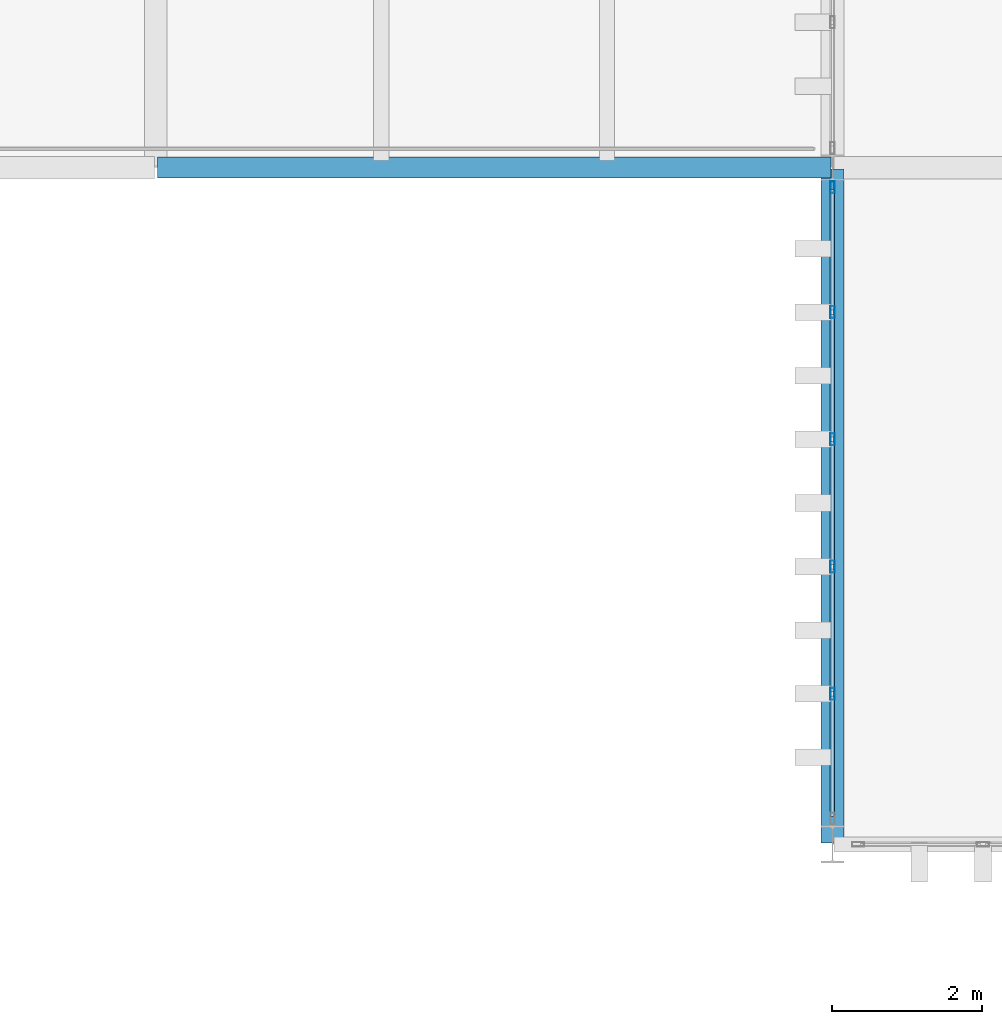
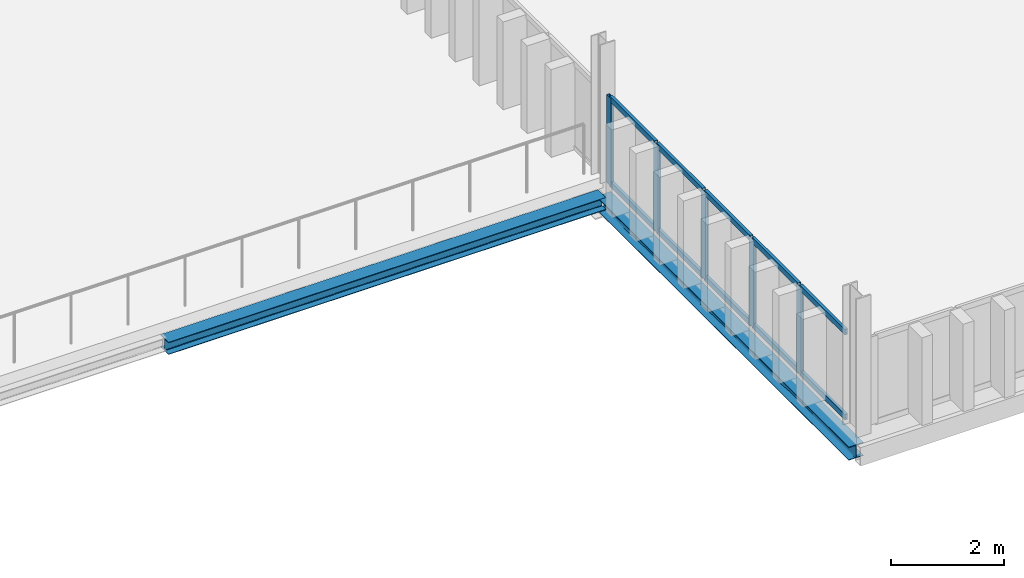
# One storey, part 13 of 58: 15 members, 2 beams, 1 element without a shape of its own.
"""IFC4 building model written with IfcOpenShell, lengths in metres."""

from ifc_helpers import new_model, si_unit, direction, frame, origin, origin_2d, place, context, subcontext, project, spatial, hollow_rectangle, i_section, extrude, material, layer, layer_set, material_profile, profile_set, type_object, element, aggregate, save


model = new_model("IFC4")

# Units and contexts
model_context = context("Model", 3, precision=1e-05, world=origin(), true_north=direction((0.0, 1.0)))
body_context = subcontext(model_context, "Body", "Model", "MODEL_VIEW")
ifc_project = project(units=[si_unit("LENGTHUNIT", "METRE"), si_unit("AREAUNIT", "SQUARE_METRE"), si_unit("VOLUMEUNIT", "CUBIC_METRE"), si_unit("PLANEANGLEUNIT", "RADIAN"), si_unit("MASSUNIT", "GRAM", prefix="KILO")], contexts=[model_context])

# Site, building, storey
site_placement = place(None, origin())
site = spatial("IfcSite", under=ifc_project, at=site_placement, CompositionType="ELEMENT")
building_placement = place(site_placement, origin())
building = spatial("IfcBuilding", under=site, at=building_placement, Name="Barlavento Convention Centre", CompositionType="ELEMENT")
storey_placement = place(building_placement, frame((0.0, 0.0, 26.800048828125)))
storey = spatial("IfcBuildingStorey", under=building, at=storey_placement, Name="L05", CompositionType="ELEMENT", Elevation=26.800048828125)

# Curtain wall, members
ifc_material_1 = material(Name="Powder-coated aluminium and Low-E glass", Category="aluminium")
ifc_layer = layer(ifc_material_1, 0.18994140625)
ifc_layer_set = layer_set([ifc_layer], Name="ARC-CW-CONF-L05")
curtain_wall_type = type_object("IfcCurtainWallType", Name="ARC-CW-CONF-L05", PredefinedType="NOTDEFINED", material=ifc_layer_set)
curtain_wall_placement = place(storey_placement, origin())
curtain_wall = element("IfcCurtainWall", 1, at=curtain_wall_placement, inside=storey, type_object=curtain_wall_type, Name="L05 unitised curtain wall CW10", PredefinedType="NOTDEFINED")
ifc_material_2 = material(Name="Powder-coated aluminium", Category="aluminium")
ifc_material_profile_1 = material_profile(ifc_material_2, hollow_rectangle(XDim=0.06005859375, YDim=0.159912109375, WallThickness=0.00390625, at=origin_2d()), Name="AL-MULL 60x160x4")
ifc_profile_set_1 = profile_set([ifc_material_profile_1], Name="Powder-coated aluminium")
member_type_1 = type_object("IfcMemberType", Name="ARC-CWM-60X160", PredefinedType="MULLION", material=ifc_profile_set_1)
member_1_placement = place(storey_placement, frame((171.0, 29.001953125, 0.0), z_axis=(0.0, 0.0, 1.0), x_axis=(-1.0, 0.0, 0.0)))
member_1 = element("IfcMember", 2, at=member_1_placement, type_object=member_type_1, Name="CW10 mullion 2", PredefinedType="MULLION", context=body_context, shape_type="SweptSolid", body=[
    extrude(hollow_rectangle(XDim=0.06005859375, YDim=0.159912109375, WallThickness=0.00390625, at=origin_2d()), origin(), (0.0, 0.0, 1.0), 1.89990234375),
])
member_2_placement = place(storey_placement, frame((171.0, 30.694091796875, 0.0), z_axis=(0.0, 0.0, 1.0), x_axis=(-1.0, 0.0, 0.0)))
member_2 = element("IfcMember", 3, at=member_2_placement, type_object=member_type_1, Name="CW10 mullion 3", PredefinedType="MULLION", context=body_context, shape_type="SweptSolid", body=[
    extrude(hollow_rectangle(XDim=0.06005859375, YDim=0.159912109375, WallThickness=0.00390625, at=origin_2d()), origin(), (0.0, 0.0, 1.0), 1.89990234375),
])
member_3_placement = place(storey_placement, frame((171.0, 32.385986328125, 0.0), z_axis=(0.0, 0.0, 1.0), x_axis=(-1.0, 0.0, 0.0)))
member_3 = element("IfcMember", 4, at=member_3_placement, type_object=member_type_1, Name="CW10 mullion 4", PredefinedType="MULLION", context=body_context, shape_type="SweptSolid", body=[
    extrude(hollow_rectangle(XDim=0.06005859375, YDim=0.159912109375, WallThickness=0.00390625, at=origin_2d()), origin(), (0.0, 0.0, 1.0), 1.89990234375),
])
member_4_placement = place(storey_placement, frame((171.0, 34.077880859375, 0.0), z_axis=(0.0, 0.0, 1.0), x_axis=(-1.0, 0.0, 0.0)))
member_4 = element("IfcMember", 5, at=member_4_placement, type_object=member_type_1, Name="CW10 mullion 5", PredefinedType="MULLION", context=body_context, shape_type="SweptSolid", body=[
    extrude(hollow_rectangle(XDim=0.06005859375, YDim=0.159912109375, WallThickness=0.00390625, at=origin_2d()), origin(), (0.0, 0.0, 1.0), 1.89990234375),
])
member_5_placement = place(storey_placement, frame((171.0, 35.739990234375, 0.0), z_axis=(0.0, 0.0, 1.0), x_axis=(-1.0, 0.0, 0.0)))
member_5 = element("IfcMember", 6, at=member_5_placement, type_object=member_type_1, Name="CW10 mullion 6", PredefinedType="MULLION", context=body_context, shape_type="SweptSolid", body=[
    extrude(hollow_rectangle(XDim=0.06005859375, YDim=0.159912109375, WallThickness=0.00390625, at=origin_2d()), origin(), (0.0, 0.0, 1.0), 1.89990234375),
])
ifc_material_profile_2 = material_profile(ifc_material_2, hollow_rectangle(XDim=0.06005859375, YDim=0.1201171875, WallThickness=0.00390625, at=origin_2d()), Name="AL-TRAN 60x120x4")
ifc_profile_set_2 = profile_set([ifc_material_profile_2], Name="Powder-coated aluminium")
member_type_2 = type_object("IfcMemberType", Name="ARC-CWT-60X120", PredefinedType="USERDEFINED", material=ifc_profile_set_2)
member_6_placement = place(storey_placement, frame((171.0, 27.3701171875, 0.030029296875), z_axis=(0.0, 1.0, 0.0), x_axis=(-1.0, 0.0, 0.0)))
member_6 = element("IfcMember", 7, at=member_6_placement, type_object=member_type_2, Name="CW10 transom 1.1", ObjectType="TRANSOM", PredefinedType="USERDEFINED", context=body_context, shape_type="SweptSolid", body=[
    extrude(hollow_rectangle(XDim=0.06005859375, YDim=0.1201171875, WallThickness=0.00390625, at=origin_2d()), origin(), (0.0, 0.0, 1.0), 1.601806640625),
])
member_7_placement = place(storey_placement, frame((171.0, 27.3701171875, 1.869873046875), z_axis=(0.0, 1.0, 0.0), x_axis=(-1.0, 0.0, 0.0)))
member_7 = element("IfcMember", 8, at=member_7_placement, type_object=member_type_2, Name="CW10 transom 1.2", ObjectType="TRANSOM", PredefinedType="USERDEFINED", context=body_context, shape_type="SweptSolid", body=[
    extrude(hollow_rectangle(XDim=0.06005859375, YDim=0.1201171875, WallThickness=0.00390625, at=origin_2d()), origin(), (0.0, 0.0, 1.0), 1.601806640625),
])
member_8_placement = place(storey_placement, frame((171.0, 29.031982421875, 0.030029296875), z_axis=(0.0, 1.0, 0.0), x_axis=(-1.0, 0.0, 0.0)))
member_8 = element("IfcMember", 9, at=member_8_placement, type_object=member_type_2, Name="CW10 transom 2.1", ObjectType="TRANSOM", PredefinedType="USERDEFINED", context=body_context, shape_type="SweptSolid", body=[
    extrude(hollow_rectangle(XDim=0.06005859375, YDim=0.1201171875, WallThickness=0.00390625, at=origin_2d()), origin(), (0.0, 0.0, 1.0), 1.632080078125),
])
member_9_placement = place(storey_placement, frame((171.0, 29.031982421875, 1.869873046875), z_axis=(0.0, 1.0, 0.0), x_axis=(-1.0, 0.0, 0.0)))
member_9 = element("IfcMember", 10, at=member_9_placement, type_object=member_type_2, Name="CW10 transom 2.2", ObjectType="TRANSOM", PredefinedType="USERDEFINED", context=body_context, shape_type="SweptSolid", body=[
    extrude(hollow_rectangle(XDim=0.06005859375, YDim=0.1201171875, WallThickness=0.00390625, at=origin_2d()), origin(), (0.0, 0.0, 1.0), 1.632080078125),
])
member_10_placement = place(storey_placement, frame((171.0, 30.72412109375, 0.030029296875), z_axis=(0.0, 1.0, 0.0), x_axis=(-1.0, 0.0, 0.0)))
member_10 = element("IfcMember", 11, at=member_10_placement, type_object=member_type_2, Name="CW10 transom 3.1", ObjectType="TRANSOM", PredefinedType="USERDEFINED", context=body_context, shape_type="SweptSolid", body=[
    extrude(hollow_rectangle(XDim=0.06005859375, YDim=0.1201171875, WallThickness=0.00390625, at=origin_2d()), origin(), (0.0, 0.0, 1.0), 1.6318359375),
])
member_11_placement = place(storey_placement, frame((171.0, 30.72412109375, 1.869873046875), z_axis=(0.0, 1.0, 0.0), x_axis=(-1.0, 0.0, 0.0)))
member_11 = element("IfcMember", 12, at=member_11_placement, type_object=member_type_2, Name="CW10 transom 3.2", ObjectType="TRANSOM", PredefinedType="USERDEFINED", context=body_context, shape_type="SweptSolid", body=[
    extrude(hollow_rectangle(XDim=0.06005859375, YDim=0.1201171875, WallThickness=0.00390625, at=origin_2d()), origin(), (0.0, 0.0, 1.0), 1.6318359375),
])
member_12_placement = place(storey_placement, frame((171.0, 32.416015625, 0.030029296875), z_axis=(0.0, 1.0, 0.0), x_axis=(-1.0, 0.0, 0.0)))
member_12 = element("IfcMember", 13, at=member_12_placement, type_object=member_type_2, Name="CW10 transom 4.1", ObjectType="TRANSOM", PredefinedType="USERDEFINED", context=body_context, shape_type="SweptSolid", body=[
    extrude(hollow_rectangle(XDim=0.06005859375, YDim=0.1201171875, WallThickness=0.00390625, at=origin_2d()), origin(), (0.0, 0.0, 1.0), 1.632080078125),
])
member_13_placement = place(storey_placement, frame((171.0, 32.416015625, 1.869873046875), z_axis=(0.0, 1.0, 0.0), x_axis=(-1.0, 0.0, 0.0)))
member_13 = element("IfcMember", 14, at=member_13_placement, type_object=member_type_2, Name="CW10 transom 4.2", ObjectType="TRANSOM", PredefinedType="USERDEFINED", context=body_context, shape_type="SweptSolid", body=[
    extrude(hollow_rectangle(XDim=0.06005859375, YDim=0.1201171875, WallThickness=0.00390625, at=origin_2d()), origin(), (0.0, 0.0, 1.0), 1.632080078125),
])
member_14_placement = place(storey_placement, frame((171.0, 34.10791015625, 0.030029296875), z_axis=(0.0, 1.0, 0.0), x_axis=(-1.0, 0.0, 0.0)))
member_14 = element("IfcMember", 15, at=member_14_placement, type_object=member_type_2, Name="CW10 transom 5.1", ObjectType="TRANSOM", PredefinedType="USERDEFINED", context=body_context, shape_type="SweptSolid", body=[
    extrude(hollow_rectangle(XDim=0.06005859375, YDim=0.1201171875, WallThickness=0.00390625, at=origin_2d()), origin(), (0.0, 0.0, 1.0), 1.60205078125),
])
member_15_placement = place(storey_placement, frame((171.0, 34.10791015625, 1.869873046875), z_axis=(0.0, 1.0, 0.0), x_axis=(-1.0, 0.0, 0.0)))
member_15 = element("IfcMember", 16, at=member_15_placement, type_object=member_type_2, Name="CW10 transom 5.2", ObjectType="TRANSOM", PredefinedType="USERDEFINED", context=body_context, shape_type="SweptSolid", body=[
    extrude(hollow_rectangle(XDim=0.06005859375, YDim=0.1201171875, WallThickness=0.00390625, at=origin_2d()), origin(), (0.0, 0.0, 1.0), 1.60205078125),
])
aggregate(curtain_wall, [member_1, member_2, member_3, member_4, member_5, member_6, member_7, member_8, member_9, member_10, member_11, member_12, member_13, member_14, member_15])

# Beams
ifc_material_3 = material(Name="Steel S355", Category="steel")
ifc_material_profile_3 = material_profile(ifc_material_3, i_section(OverallWidth=0.280029296875, OverallDepth=0.27001953125, WebThickness=0.008056640625, FlangeThickness=0.012939453125, FilletRadius=0.02392578125, at=origin_2d()), Name="HEA 280")
ifc_profile_set_3 = profile_set([ifc_material_profile_3], Name="Steel S355")
beam_type_1 = type_object("IfcBeamType", Name="STR-BM-SPN-HEA280", PredefinedType="SPANDREL", material=ifc_profile_set_3)
beam_1_placement = place(storey_placement, frame((162.02001953125, 36.0, -0.4951171875), z_axis=(1.0, 0.0, 0.0), x_axis=(0.0, 1.0, 0.0)))
element("IfcBeam", 17, at=beam_1_placement, inside=storey, type_object=beam_type_1, Name="L05 primary girder SP03", PredefinedType="SPANDREL", context=body_context, shape_type="SweptSolid", body=[
    extrude(i_section(OverallWidth=0.280029296875, OverallDepth=0.27001953125, WebThickness=0.008056640625, FlangeThickness=0.012939453125, FilletRadius=0.02392578125, at=origin_2d()), origin(), (0.0, 0.0, 1.0), 8.9599609375),
])
ifc_material_profile_4 = material_profile(ifc_material_3, i_section(OverallWidth=0.300048828125, OverallDepth=0.2900390625, WebThickness=0.008544921875, FlangeThickness=0.013916015625, FilletRadius=0.027099609375, at=origin_2d()), Name="HEA 300")
ifc_profile_set_4 = profile_set([ifc_material_profile_4], Name="Steel S355")
beam_type_2 = type_object("IfcBeamType", Name="STR-BM-SPN-HEA300", PredefinedType="SPANDREL", material=ifc_profile_set_4)
beam_2_placement = place(storey_placement, frame((171.0, 27.02001953125, -0.505126953125), z_axis=(0.0, 1.0, 0.0), x_axis=(-1.0, 0.0, 0.0)))
element("IfcBeam", 18, at=beam_2_placement, inside=storey, type_object=beam_type_2, Name="L05 grid girder SP02", PredefinedType="SPANDREL", context=body_context, shape_type="SweptSolid", body=[
    extrude(i_section(OverallWidth=0.300048828125, OverallDepth=0.2900390625, WebThickness=0.008544921875, FlangeThickness=0.013916015625, FilletRadius=0.027099609375, at=origin_2d()), origin(), (0.0, 0.0, 1.0), 8.9599609375),
])

save(model, "model.ifc")
